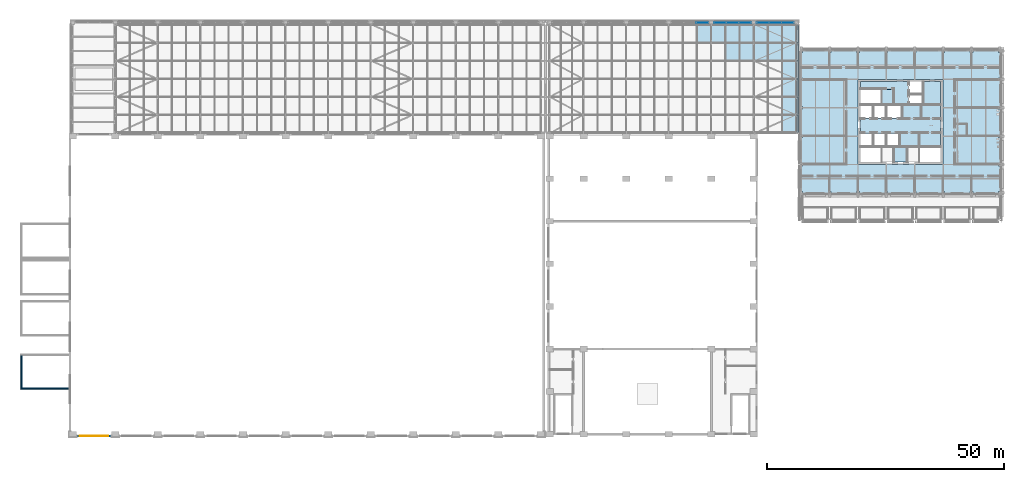
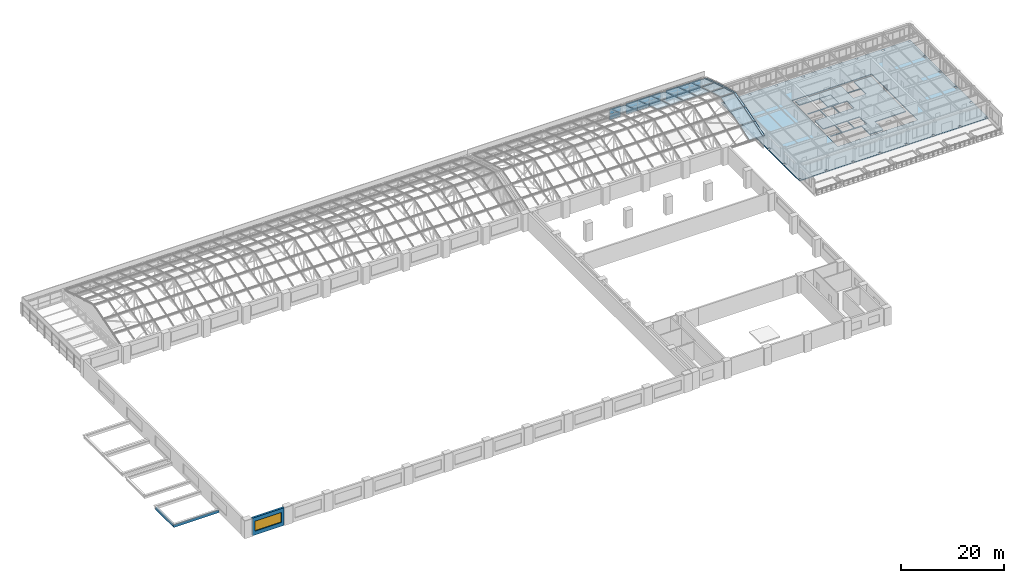
# One storey, part 53 of 82: 36 plates, 3 slabs, 3 walls, 1 window, 1 opening, 4 elements without a shape of their own.
"""IFC4 building model written with IfcOpenShell, lengths in metres."""

from ifc_helpers import new_model, si_unit, direction, frame, frame_2d, origin, origin_2d, place, context, subcontext, project, spatial, polyline, rectangle, outline, extrude, material, layer, layer_set, type_object, element, fill, aggregate, save


model = new_model("IFC4")

# Units and contexts
model_context = context("Model", 3, precision=1e-05, world=origin(), true_north=direction((0.0, 1.0)))
body_context = subcontext(model_context, "Body", "Model", "MODEL_VIEW")
ifc_project = project(units=[si_unit("LENGTHUNIT", "METRE"), si_unit("AREAUNIT", "SQUARE_METRE"), si_unit("VOLUMEUNIT", "CUBIC_METRE"), si_unit("PLANEANGLEUNIT", "RADIAN"), si_unit("MASSUNIT", "GRAM", prefix="KILO")], contexts=[model_context])

# Site, building, storey
site_placement = place(None, origin())
site = spatial("IfcSite", under=ifc_project, at=site_placement, CompositionType="ELEMENT")
building_placement = place(site_placement, origin())
building = spatial("IfcBuilding", under=site, at=building_placement, Name="Aravalli Gate Trade Fair Centre", CompositionType="ELEMENT")
storey_placement = place(building_placement, frame((0.0, 0.0, 19.199951171875)))
storey = spatial("IfcBuildingStorey", under=building, at=storey_placement, Name="L04", CompositionType="ELEMENT", Elevation=19.199951171875)

# Curtain wall, plates
ifc_material_1 = material(Name="Aluminium and glass", Category="aluminium")
curtain_wall_type_1 = type_object("IfcCurtainWallType", Name="Curtain wall 3000 module", PredefinedType="NOTDEFINED", material=ifc_material_1)
curtain_wall_1_placement = place(storey_placement, origin())
curtain_wall_1 = element("IfcCurtainWall", 1, at=curtain_wall_1_placement, inside=storey, type_object=curtain_wall_type_1, Name="Curtain wall north bay 16 L04", PredefinedType="NOTDEFINED")
ifc_material_2 = material(Name="Glass, double glazed", Category="glass")
ifc_layer_1 = layer(ifc_material_2, 0.028076171875)
ifc_layer_set_1 = layer_set([ifc_layer_1], Name="Glass, double glazed")
plate_type_1 = type_object("IfcPlateType", Name="Curtain wall panel, double glazed 28", PredefinedType="CURTAIN_PANEL", material=ifc_layer_set_1)
plate_1_placement = place(storey_placement, frame((139.118408203125, 133.0, 0.06005859375), z_axis=(0.0, 0.0, 1.0), x_axis=(1.0, 0.0, 0.0)))
plate_1 = element("IfcPlate", 2, at=plate_1_placement, type_object=plate_type_1, Name="CW1 panel 3.1", PredefinedType="CURTAIN_PANEL", context=body_context, shape_type="SweptSolid", body=[
    extrude(rectangle(XDim=2.543212890625, YDim=0.028076171875, at=origin_2d()), origin(), (0.0, 0.0, 1.0), 1.260009765625),
])
plate_2_placement = place(storey_placement, frame((139.118408203125, 133.0, 1.3798828125), z_axis=(0.0, 0.0, 1.0), x_axis=(1.0, 0.0, 0.0)))
plate_2 = element("IfcPlate", 3, at=plate_2_placement, type_object=plate_type_1, Name="CW1 panel 3.2", PredefinedType="CURTAIN_PANEL", context=body_context, shape_type="SweptSolid", body=[
    extrude(rectangle(XDim=2.543212890625, YDim=0.028076171875, at=origin_2d()), origin(), (0.0, 0.0, 1.0), 1.260009765625),
])
aggregate(curtain_wall_1, [plate_1, plate_2])

curtain_wall_2_placement = place(storey_placement, origin())
curtain_wall_2 = element("IfcCurtainWall", 4, at=curtain_wall_2_placement, inside=storey, type_object=curtain_wall_type_1, Name="Curtain wall north bay 17 L04", PredefinedType="NOTDEFINED")
plate_3_placement = place(storey_placement, frame((142.881591796875, 133.0, 0.06005859375), z_axis=(0.0, 0.0, 1.0), x_axis=(1.0, 0.0, 0.0)))
plate_3 = element("IfcPlate", 5, at=plate_3_placement, type_object=plate_type_1, Name="CW1 panel 1.1", PredefinedType="CURTAIN_PANEL", context=body_context, shape_type="SweptSolid", body=[
    extrude(rectangle(XDim=2.543212890625, YDim=0.028076171875, at=origin_2d()), origin(), (0.0, 0.0, 1.0), 1.260009765625),
])
plate_4_placement = place(storey_placement, frame((142.881591796875, 133.0, 1.3798828125), z_axis=(0.0, 0.0, 1.0), x_axis=(1.0, 0.0, 0.0)))
plate_4 = element("IfcPlate", 6, at=plate_4_placement, type_object=plate_type_1, Name="CW1 panel 1.2", PredefinedType="CURTAIN_PANEL", context=body_context, shape_type="SweptSolid", body=[
    extrude(rectangle(XDim=2.543212890625, YDim=0.028076171875, at=origin_2d()), origin(), (0.0, 0.0, 1.0), 1.260009765625),
])
plate_5_placement = place(storey_placement, frame((145.5, 133.0, 0.06005859375), z_axis=(0.0, 0.0, 1.0), x_axis=(1.0, 0.0, 0.0)))
plate_5 = element("IfcPlate", 7, at=plate_5_placement, type_object=plate_type_1, Name="CW1 panel 2.1", PredefinedType="CURTAIN_PANEL", context=body_context, shape_type="SweptSolid", body=[
    extrude(rectangle(XDim=2.5732421875, YDim=0.028076171875, at=origin_2d()), origin(), (0.0, 0.0, 1.0), 1.260009765625),
])
plate_6_placement = place(storey_placement, frame((145.5, 133.0, 1.3798828125), z_axis=(0.0, 0.0, 1.0), x_axis=(1.0, 0.0, 0.0)))
plate_6 = element("IfcPlate", 8, at=plate_6_placement, type_object=plate_type_1, Name="CW1 panel 2.2", PredefinedType="CURTAIN_PANEL", context=body_context, shape_type="SweptSolid", body=[
    extrude(rectangle(XDim=2.5732421875, YDim=0.028076171875, at=origin_2d()), origin(), (0.0, 0.0, 1.0), 1.260009765625),
])
plate_7_placement = place(storey_placement, frame((148.118408203125, 133.0, 0.06005859375), z_axis=(0.0, 0.0, 1.0), x_axis=(1.0, 0.0, 0.0)))
plate_7 = element("IfcPlate", 9, at=plate_7_placement, type_object=plate_type_1, Name="CW1 panel 3.1", PredefinedType="CURTAIN_PANEL", context=body_context, shape_type="SweptSolid", body=[
    extrude(rectangle(XDim=2.543212890625, YDim=0.028076171875, at=origin_2d()), origin(), (0.0, 0.0, 1.0), 1.260009765625),
])
plate_8_placement = place(storey_placement, frame((148.118408203125, 133.0, 1.3798828125), z_axis=(0.0, 0.0, 1.0), x_axis=(1.0, 0.0, 0.0)))
plate_8 = element("IfcPlate", 10, at=plate_8_placement, type_object=plate_type_1, Name="CW1 panel 3.2", PredefinedType="CURTAIN_PANEL", context=body_context, shape_type="SweptSolid", body=[
    extrude(rectangle(XDim=2.543212890625, YDim=0.028076171875, at=origin_2d()), origin(), (0.0, 0.0, 1.0), 1.260009765625),
])
aggregate(curtain_wall_2, [plate_3, plate_4, plate_5, plate_6, plate_7, plate_8])

curtain_wall_3_placement = place(storey_placement, origin())
curtain_wall_3 = element("IfcCurtainWall", 11, at=curtain_wall_3_placement, inside=storey, type_object=curtain_wall_type_1, Name="Curtain wall north bay 18 L04", PredefinedType="NOTDEFINED")
plate_9_placement = place(storey_placement, frame((151.881591796875, 133.0, 0.06005859375), z_axis=(0.0, 0.0, 1.0), x_axis=(1.0, 0.0, 0.0)))
plate_9 = element("IfcPlate", 12, at=plate_9_placement, type_object=plate_type_1, Name="CW1 panel 1.1", PredefinedType="CURTAIN_PANEL", context=body_context, shape_type="SweptSolid", body=[
    extrude(rectangle(XDim=2.543212890625, YDim=0.028076171875, at=origin_2d()), origin(), (0.0, 0.0, 1.0), 1.260009765625),
])
plate_10_placement = place(storey_placement, frame((151.881591796875, 133.0, 1.3798828125), z_axis=(0.0, 0.0, 1.0), x_axis=(1.0, 0.0, 0.0)))
plate_10 = element("IfcPlate", 13, at=plate_10_placement, type_object=plate_type_1, Name="CW1 panel 1.2", PredefinedType="CURTAIN_PANEL", context=body_context, shape_type="SweptSolid", body=[
    extrude(rectangle(XDim=2.543212890625, YDim=0.028076171875, at=origin_2d()), origin(), (0.0, 0.0, 1.0), 1.260009765625),
])
plate_11_placement = place(storey_placement, frame((154.5, 133.0, 0.06005859375), z_axis=(0.0, 0.0, 1.0), x_axis=(1.0, 0.0, 0.0)))
plate_11 = element("IfcPlate", 14, at=plate_11_placement, type_object=plate_type_1, Name="CW1 panel 2.1", PredefinedType="CURTAIN_PANEL", context=body_context, shape_type="SweptSolid", body=[
    extrude(rectangle(XDim=2.5732421875, YDim=0.028076171875, at=origin_2d()), origin(), (0.0, 0.0, 1.0), 1.260009765625),
])
plate_12_placement = place(storey_placement, frame((154.5, 133.0, 1.3798828125), z_axis=(0.0, 0.0, 1.0), x_axis=(1.0, 0.0, 0.0)))
plate_12 = element("IfcPlate", 15, at=plate_12_placement, type_object=plate_type_1, Name="CW1 panel 2.2", PredefinedType="CURTAIN_PANEL", context=body_context, shape_type="SweptSolid", body=[
    extrude(rectangle(XDim=2.5732421875, YDim=0.028076171875, at=origin_2d()), origin(), (0.0, 0.0, 1.0), 1.260009765625),
])
plate_13_placement = place(storey_placement, frame((157.118408203125, 133.0, 0.06005859375), z_axis=(0.0, 0.0, 1.0), x_axis=(1.0, 0.0, 0.0)))
plate_13 = element("IfcPlate", 16, at=plate_13_placement, type_object=plate_type_1, Name="CW1 panel 3.1", PredefinedType="CURTAIN_PANEL", context=body_context, shape_type="SweptSolid", body=[
    extrude(rectangle(XDim=2.543212890625, YDim=0.028076171875, at=origin_2d()), origin(), (0.0, 0.0, 1.0), 1.260009765625),
])
plate_14_placement = place(storey_placement, frame((157.118408203125, 133.0, 1.3798828125), z_axis=(0.0, 0.0, 1.0), x_axis=(1.0, 0.0, 0.0)))
plate_14 = element("IfcPlate", 17, at=plate_14_placement, type_object=plate_type_1, Name="CW1 panel 3.2", PredefinedType="CURTAIN_PANEL", context=body_context, shape_type="SweptSolid", body=[
    extrude(rectangle(XDim=2.543212890625, YDim=0.028076171875, at=origin_2d()), origin(), (0.0, 0.0, 1.0), 1.260009765625),
])
aggregate(curtain_wall_3, [plate_9, plate_10, plate_11, plate_12, plate_13, plate_14])

curtain_wall_type_2 = type_object("IfcCurtainWallType", Name="Vault curtain wall, sloped glazing", PredefinedType="NOTDEFINED", material=ifc_material_1)
curtain_wall_4_placement = place(storey_placement, origin())
curtain_wall_4 = element("IfcCurtainWall", 18, at=curtain_wall_4_placement, inside=storey, type_object=curtain_wall_type_2, Name="Vault curtain wall e", PredefinedType="NOTDEFINED")
ifc_material_3 = material(Name="Glass, laminated double glazed", Category="glass")
ifc_layer_2 = layer(ifc_material_3, 0.028076171875)
ifc_layer_set_2 = layer_set([ifc_layer_2], Name="Glass, laminated double glazed")
plate_type_2 = type_object("IfcPlateType", Name="Vault glazing panel, facet class 1", PredefinedType="CURTAIN_PANEL", material=ifc_layer_set_2)
plate_15_placement = place(storey_placement, frame((138.030029296875, 128.77001953125, 4.0771484375), z_axis=(0.0, 0.312518472278, 0.949911682466), x_axis=(1.0, 0.0, 0.0)))
plate_15 = element("IfcPlate", 19, at=plate_15_placement, type_object=plate_type_2, Name="Vault glazing e13.6", PredefinedType="CURTAIN_PANEL", context=body_context, shape_type="SweptSolid", body=[
    extrude(outline(polyline([(0.0, 0.0), (2.93994140625, 0.0), (2.93994140625, 3.852897250273449), (0.0, 3.852897250273449), (0.0, 0.0)])), origin(), (0.0, 0.0, -1.0), 0.028076171875),
])
plate_16_placement = place(storey_placement, frame((141.030029296875, 128.77001953125, 4.0771484375), z_axis=(0.0, 0.312518472278, 0.949911682466), x_axis=(1.0, 0.0, 0.0)))
plate_16 = element("IfcPlate", 20, at=plate_16_placement, type_object=plate_type_2, Name="Vault glazing e14.6", PredefinedType="CURTAIN_PANEL", context=body_context, shape_type="SweptSolid", body=[
    extrude(outline(polyline([(0.0, 0.0), (2.93994140625, 0.0), (2.93994140625, 3.852897250273449), (0.0, 3.852897250273449), (0.0, 0.0)])), origin(), (0.0, 0.0, -1.0), 0.028076171875),
])
plate_17_placement = place(storey_placement, frame((144.030029296875, 128.77001953125, 4.0771484375), z_axis=(0.0, 0.312518472278, 0.949911682466), x_axis=(1.0, 0.0, 0.0)))
plate_17 = element("IfcPlate", 21, at=plate_17_placement, type_object=plate_type_2, Name="Vault glazing e15.6", PredefinedType="CURTAIN_PANEL", context=body_context, shape_type="SweptSolid", body=[
    extrude(outline(polyline([(0.0, 0.0), (2.93994140625, 0.0), (2.93994140625, 3.852897250273449), (0.0, 3.852897250273449), (0.0, 0.0)])), origin(), (0.0, 0.0, -1.0), 0.028076171875),
])
plate_18_placement = place(storey_placement, frame((147.030029296875, 128.77001953125, 4.0771484375), z_axis=(0.0, 0.312518472278, 0.949911682466), x_axis=(1.0, 0.0, 0.0)))
plate_18 = element("IfcPlate", 22, at=plate_18_placement, type_object=plate_type_2, Name="Vault glazing e16.6", PredefinedType="CURTAIN_PANEL", context=body_context, shape_type="SweptSolid", body=[
    extrude(outline(polyline([(0.0, 0.0), (2.93994140625, 0.0), (2.93994140625, 3.852897250273449), (0.0, 3.852897250273449), (0.0, 0.0)])), origin(), (0.0, 0.0, -1.0), 0.028076171875),
])
plate_19_placement = place(storey_placement, frame((150.030029296875, 128.77001953125, 4.0771484375), z_axis=(0.0, 0.312518472278, 0.949911682466), x_axis=(1.0, 0.0, 0.0)))
plate_19 = element("IfcPlate", 23, at=plate_19_placement, type_object=plate_type_2, Name="Vault glazing e17.6", PredefinedType="CURTAIN_PANEL", context=body_context, shape_type="SweptSolid", body=[
    extrude(outline(polyline([(0.0, 0.0), (2.93994140625, 0.0), (2.93994140625, 3.852897250273449), (0.0, 3.852897250273449), (0.0, 0.0)])), origin(), (0.0, 0.0, -1.0), 0.028076171875),
])
plate_20_placement = place(storey_placement, frame((153.030029296875, 128.77001953125, 4.0771484375), z_axis=(0.0, 0.312518472278, 0.949911682466), x_axis=(1.0, 0.0, 0.0)))
plate_20 = element("IfcPlate", 24, at=plate_20_placement, type_object=plate_type_2, Name="Vault glazing e18.6", PredefinedType="CURTAIN_PANEL", context=body_context, shape_type="SweptSolid", body=[
    extrude(outline(polyline([(0.0, 0.0), (2.93994140625, 0.0), (2.93994140625, 3.852897250273449), (0.0, 3.852897250273449), (0.0, 0.0)])), origin(), (0.0, 0.0, -1.0), 0.028076171875),
])
plate_21_placement = place(storey_placement, frame((156.030029296875, 109.77001953125, 2.873046875), z_axis=(0.0, -0.312518472278, 0.949911682466), x_axis=(1.0, 0.0, 0.0)))
plate_21 = element("IfcPlate", 25, at=plate_21_placement, type_object=plate_type_2, Name="Vault glazing e19.1", PredefinedType="CURTAIN_PANEL", context=body_context, shape_type="SweptSolid", body=[
    extrude(outline(polyline([(0.0, 0.0), (2.93994140625, 0.0), (2.93994140625, 3.852897250273449), (0.0, 3.852897250273449), (0.0, 0.0)])), origin(), (0.0, 0.0, -1.0), 0.028076171875),
])
plate_22_placement = place(storey_placement, frame((156.030029296875, 128.77001953125, 4.0771484375), z_axis=(0.0, 0.312518472278, 0.949911682466), x_axis=(1.0, 0.0, 0.0)))
plate_22 = element("IfcPlate", 26, at=plate_22_placement, type_object=plate_type_2, Name="Vault glazing e19.6", PredefinedType="CURTAIN_PANEL", context=body_context, shape_type="SweptSolid", body=[
    extrude(outline(polyline([(0.0, 0.0), (2.93994140625, 0.0), (2.93994140625, 3.852897250273449), (0.0, 3.852897250273449), (0.0, 0.0)])), origin(), (0.0, 0.0, -1.0), 0.028076171875),
])
plate_23_placement = place(storey_placement, frame((159.030029296875, 109.77001953125, 2.873046875), z_axis=(0.0, -0.312518472278, 0.949911682466), x_axis=(1.0, 0.0, 0.0)))
plate_23 = element("IfcPlate", 27, at=plate_23_placement, type_object=plate_type_2, Name="Vault glazing e20.1", PredefinedType="CURTAIN_PANEL", context=body_context, shape_type="SweptSolid", body=[
    extrude(outline(polyline([(0.0, 0.0), (0.409912109375, 0.0), (0.409912109375, 3.852897250273449), (0.0, 3.852897250273449), (0.0, 0.0)])), origin(), (0.0, 0.0, -1.0), 0.028076171875),
])
plate_24_placement = place(storey_placement, frame((159.030029296875, 128.77001953125, 4.0771484375), z_axis=(0.0, 0.312518472278, 0.949911682466), x_axis=(1.0, 0.0, 0.0)))
plate_24 = element("IfcPlate", 28, at=plate_24_placement, type_object=plate_type_2, Name="Vault glazing e20.6", PredefinedType="CURTAIN_PANEL", context=body_context, shape_type="SweptSolid", body=[
    extrude(outline(polyline([(0.0, 0.0), (0.409912109375, 0.0), (0.409912109375, 3.852897250273449), (0.0, 3.852897250273449), (0.0, 0.0)])), origin(), (0.0, 0.0, -1.0), 0.028076171875),
])
ifc_layer_3 = layer(ifc_material_3, 0.028076171875)
ifc_layer_set_3 = layer_set([ifc_layer_3], Name="Glass, laminated double glazed")
plate_type_3 = type_object("IfcPlateType", Name="Vault glazing panel, facet class 2", PredefinedType="CURTAIN_PANEL", material=ifc_layer_set_3)
plate_25_placement = place(storey_placement, frame((144.030029296875, 124.969970703125, 5.228759765625), z_axis=(0.0, 0.289613973345, 0.957143534922), x_axis=(1.0, 0.0, 0.0)))
plate_25 = element("IfcPlate", 29, at=plate_25_placement, type_object=plate_type_3, Name="Vault glazing e15.5", PredefinedType="CURTAIN_PANEL", context=body_context, shape_type="SweptSolid", body=[
    extrude(outline(polyline([(0.0, 0.0), (2.93994140625, 0.0), (2.93994140625, 3.8237860632595906), (0.0, 3.8237860632595906), (0.0, 0.0)])), origin(), (0.0, 0.0, -1.0), 0.028076171875),
])
plate_26_placement = place(storey_placement, frame((147.030029296875, 124.969970703125, 5.228759765625), z_axis=(0.0, 0.289613973345, 0.957143534922), x_axis=(1.0, 0.0, 0.0)))
plate_26 = element("IfcPlate", 30, at=plate_26_placement, type_object=plate_type_3, Name="Vault glazing e16.5", PredefinedType="CURTAIN_PANEL", context=body_context, shape_type="SweptSolid", body=[
    extrude(outline(polyline([(0.0, 0.0), (2.93994140625, 0.0), (2.93994140625, 3.8237860632595906), (0.0, 3.8237860632595906), (0.0, 0.0)])), origin(), (0.0, 0.0, -1.0), 0.028076171875),
])
plate_27_placement = place(storey_placement, frame((150.030029296875, 124.969970703125, 5.228759765625), z_axis=(0.0, 0.289613973345, 0.957143534922), x_axis=(1.0, 0.0, 0.0)))
plate_27 = element("IfcPlate", 31, at=plate_27_placement, type_object=plate_type_3, Name="Vault glazing e17.5", PredefinedType="CURTAIN_PANEL", context=body_context, shape_type="SweptSolid", body=[
    extrude(outline(polyline([(0.0, 0.0), (2.93994140625, 0.0), (2.93994140625, 3.8237860632595906), (0.0, 3.8237860632595906), (0.0, 0.0)])), origin(), (0.0, 0.0, -1.0), 0.028076171875),
])
plate_28_placement = place(storey_placement, frame((153.030029296875, 124.969970703125, 5.228759765625), z_axis=(0.0, 0.289613973345, 0.957143534922), x_axis=(1.0, 0.0, 0.0)))
plate_28 = element("IfcPlate", 32, at=plate_28_placement, type_object=plate_type_3, Name="Vault glazing e18.5", PredefinedType="CURTAIN_PANEL", context=body_context, shape_type="SweptSolid", body=[
    extrude(outline(polyline([(0.0, 0.0), (2.93994140625, 0.0), (2.93994140625, 3.8237860632595906), (0.0, 3.8237860632595906), (0.0, 0.0)])), origin(), (0.0, 0.0, -1.0), 0.028076171875),
])
plate_29_placement = place(storey_placement, frame((156.030029296875, 113.570068359375, 4.121337890625), z_axis=(0.0, -0.289613973345, 0.957143534922), x_axis=(1.0, 0.0, 0.0)))
plate_29 = element("IfcPlate", 33, at=plate_29_placement, type_object=plate_type_3, Name="Vault glazing e19.2", PredefinedType="CURTAIN_PANEL", context=body_context, shape_type="SweptSolid", body=[
    extrude(outline(polyline([(0.0, 0.0), (2.93994140625, 0.0), (2.93994140625, 3.8237860632595906), (0.0, 3.8237860632595906), (0.0, 0.0)])), origin(), (0.0, 0.0, -1.0), 0.028076171875),
])
plate_30_placement = place(storey_placement, frame((156.030029296875, 124.969970703125, 5.228759765625), z_axis=(0.0, 0.289613973345, 0.957143534922), x_axis=(1.0, 0.0, 0.0)))
plate_30 = element("IfcPlate", 34, at=plate_30_placement, type_object=plate_type_3, Name="Vault glazing e19.5", PredefinedType="CURTAIN_PANEL", context=body_context, shape_type="SweptSolid", body=[
    extrude(outline(polyline([(0.0, 0.0), (2.93994140625, 0.0), (2.93994140625, 3.8237860632595906), (0.0, 3.8237860632595906), (0.0, 0.0)])), origin(), (0.0, 0.0, -1.0), 0.028076171875),
])
plate_31_placement = place(storey_placement, frame((159.030029296875, 113.570068359375, 4.121337890625), z_axis=(0.0, -0.289613973345, 0.957143534922), x_axis=(1.0, 0.0, 0.0)))
plate_31 = element("IfcPlate", 35, at=plate_31_placement, type_object=plate_type_3, Name="Vault glazing e20.2", PredefinedType="CURTAIN_PANEL", context=body_context, shape_type="SweptSolid", body=[
    extrude(outline(polyline([(0.0, 0.0), (0.409912109375, 0.0), (0.409912109375, 3.8237860632595906), (0.0, 3.8237860632595906), (0.0, 0.0)])), origin(), (0.0, 0.0, -1.0), 0.028076171875),
])
plate_32_placement = place(storey_placement, frame((159.030029296875, 124.969970703125, 5.228759765625), z_axis=(0.0, 0.289613973345, 0.957143534922), x_axis=(1.0, 0.0, 0.0)))
plate_32 = element("IfcPlate", 36, at=plate_32_placement, type_object=plate_type_3, Name="Vault glazing e20.5", PredefinedType="CURTAIN_PANEL", context=body_context, shape_type="SweptSolid", body=[
    extrude(outline(polyline([(0.0, 0.0), (0.409912109375, 0.0), (0.409912109375, 3.8237860632595906), (0.0, 3.8237860632595906), (0.0, 0.0)])), origin(), (0.0, 0.0, -1.0), 0.028076171875),
])
ifc_layer_4 = layer(ifc_material_3, 0.028076171875)
ifc_layer_set_4 = layer_set([ifc_layer_4], Name="Glass, laminated double glazed")
plate_type_4 = type_object("IfcPlateType", Name="Vault glazing panel, facet class 3", PredefinedType="CURTAIN_PANEL", material=ifc_layer_set_4)
plate_33_placement = place(storey_placement, frame((156.030029296875, 117.3701171875, 5.269287109375), z_axis=(0.0, -0.266380180859, 0.96386804037), x_axis=(1.0, 0.0, 0.0)))
plate_33 = element("IfcPlate", 37, at=plate_33_placement, type_object=plate_type_4, Name="Vault glazing e19.3", PredefinedType="CURTAIN_PANEL", context=body_context, shape_type="SweptSolid", body=[
    extrude(outline(polyline([(0.0, 0.0), (2.93994140625, 0.0), (2.93994140625, 3.7971091021670778), (0.0, 3.7971091021670778), (0.0, 0.0)])), origin(), (0.0, 0.0, -1.0), 0.028076171875),
])
plate_34_placement = place(storey_placement, frame((156.030029296875, 121.169921875, 6.28076171875), z_axis=(0.0, 0.266363673386, 0.963872602318), x_axis=(1.0, 0.0, 0.0)))
plate_34 = element("IfcPlate", 38, at=plate_34_placement, type_object=plate_type_4, Name="Vault glazing e19.4", PredefinedType="CURTAIN_PANEL", context=body_context, shape_type="SweptSolid", body=[
    extrude(outline(polyline([(0.0, 0.0), (2.93994140625, 0.0), (2.93994140625, 3.797344422069767), (0.0, 3.797344422069767), (0.0, 0.0)])), origin(), (0.0, 0.0, -1.0), 0.028076171875),
])
plate_35_placement = place(storey_placement, frame((159.030029296875, 117.3701171875, 5.269287109375), z_axis=(0.0, -0.266380180859, 0.96386804037), x_axis=(1.0, 0.0, 0.0)))
plate_35 = element("IfcPlate", 39, at=plate_35_placement, type_object=plate_type_4, Name="Vault glazing e20.3", PredefinedType="CURTAIN_PANEL", context=body_context, shape_type="SweptSolid", body=[
    extrude(outline(polyline([(0.0, 0.0), (0.409912109375, 0.0), (0.409912109375, 3.7971091021670778), (0.0, 3.7971091021670778), (0.0, 0.0)])), origin(), (0.0, 0.0, -1.0), 0.028076171875),
])
plate_36_placement = place(storey_placement, frame((159.030029296875, 121.169921875, 6.28076171875), z_axis=(0.0, 0.266363673386, 0.963872602318), x_axis=(1.0, 0.0, 0.0)))
plate_36 = element("IfcPlate", 40, at=plate_36_placement, type_object=plate_type_4, Name="Vault glazing e20.4", PredefinedType="CURTAIN_PANEL", context=body_context, shape_type="SweptSolid", body=[
    extrude(outline(polyline([(0.0, 0.0), (0.409912109375, 0.0), (0.409912109375, 3.7973444220697665), (0.0, 3.7973444220697665), (0.0, 0.0)])), origin(), (0.0, 0.0, -1.0), 0.028076171875),
])
aggregate(curtain_wall_4, [plate_15, plate_16, plate_25, plate_17, plate_26, plate_18, plate_27, plate_19, plate_28, plate_20, plate_21, plate_29, plate_33, plate_34, plate_30, plate_22, plate_23, plate_31, plate_35, plate_36, plate_32, plate_24])

# Slabs
ifc_material_4 = material(Name="Concrete M50", Category="concrete")
ifc_layer_5 = layer(ifc_material_4, 0.199951171875)
ifc_layer_set_5 = layer_set([ifc_layer_5], Name="Concrete M50")
slab_type_1 = type_object("IfcSlabType", Name="Wing core floor slab 200", PredefinedType="FLOOR", material=ifc_layer_set_5)
slab_1_placement = place(storey_placement, frame((0.0, 0.0, -0.199951171875)))
element("IfcSlab", 41, at=slab_1_placement, inside=storey, type_object=slab_type_1, Name="Core floor slab L04", PredefinedType="FLOOR", context=body_context, shape_type="SweptSolid", body=[
    extrude(outline(polyline([(189.5, 120.5), (189.5, 106.699951171875), (182.5, 106.699951171875), (182.5, 103.5), (179.5, 103.5), (179.5, 106.699951171875), (172.5, 106.699951171875), (172.5, 106.89990234375), (175.10009765625, 106.89990234375), (175.10009765625, 109.60009765625), (172.5, 109.60009765625), (172.5, 112.800048828125), (175.10009765625, 112.800048828125), (175.10009765625, 115.5), (172.5, 115.5), (172.5, 115.699951171875), (179.5, 115.699951171875), (179.5, 118.89990234375), (172.5, 118.89990234375), (172.5, 120.5), (182.800048828125, 120.5), (182.800048828125, 118.0), (185.699951171875, 118.0), (185.699951171875, 120.5), (189.5, 120.5)]), holes=[polyline([(175.300048828125, 109.60009765625), (175.300048828125, 106.89990234375), (177.89990234375, 106.89990234375), (177.89990234375, 109.60009765625), (175.300048828125, 109.60009765625)]), polyline([(177.89990234375, 115.5), (175.300048828125, 115.5), (175.300048828125, 112.800048828125), (177.89990234375, 112.800048828125), (177.89990234375, 115.5)]), polyline([(180.699951171875, 109.60009765625), (178.10009765625, 109.60009765625), (178.10009765625, 106.89990234375), (180.699951171875, 106.89990234375), (180.699951171875, 109.60009765625)]), polyline([(178.10009765625, 115.5), (178.10009765625, 112.800048828125), (181.300048828125, 112.800048828125), (181.300048828125, 115.5), (178.10009765625, 115.5)]), polyline([(185.699951171875, 117.800048828125), (182.800048828125, 117.800048828125), (182.800048828125, 115.699951171875), (185.699951171875, 115.699951171875), (185.699951171875, 117.800048828125)])]), origin(), (0.0, 0.0, 1.0), 0.199951171875),
])
slab_2_placement = place(storey_placement, frame((0.0, 0.0, -0.199951171875)))
element("IfcSlab", 42, at=slab_2_placement, inside=storey, type_object=slab_type_1, Name="Stair landing slab FFS L04", PredefinedType="FLOOR", context=body_context, shape_type="SweptSolid", body=[
    extrude(outline(polyline([(179.5, 115.699951171875), (179.5, 118.89990234375), (177.050048828125, 118.89990234375), (177.050048828125, 115.699951171875), (179.5, 115.699951171875)])), origin(), (0.0, 0.0, 1.0), 0.199951171875),
])
ifc_layer_6 = layer(ifc_material_4, 0.199951171875)
ifc_layer_set_6 = layer_set([ifc_layer_6], Name="Concrete M50")
slab_type_2 = type_object("IfcSlabType", Name="Wing floor slab 200", PredefinedType="FLOOR", material=ifc_layer_set_6)
slab_3_placement = place(storey_placement, frame((0.0, 0.0, -0.199951171875)))
element("IfcSlab", 43, at=slab_3_placement, inside=storey, type_object=slab_type_2, Name="Wing floor slab L04", PredefinedType="FLOOR", context=body_context, shape_type="SweptSolid", body=[
    extrude(outline(polyline([(159.695068359375, 127.304931640625), (202.304931640625, 127.304931640625), (202.304931640625, 96.695068359375), (159.695068359375, 96.695068359375), (159.695068359375, 127.304931640625)]), holes=[polyline([(160.27490234375, 97.27490234375), (159.72509765625, 97.27490234375), (159.72509765625, 96.72509765625), (160.27490234375, 96.72509765625), (160.27490234375, 97.27490234375)]), polyline([(166.27490234375, 97.27490234375), (165.72509765625, 97.27490234375), (165.72509765625, 96.72509765625), (166.27490234375, 96.72509765625), (166.27490234375, 97.27490234375)]), polyline([(172.27490234375, 97.27490234375), (171.72509765625, 97.27490234375), (171.72509765625, 96.72509765625), (172.27490234375, 96.72509765625), (172.27490234375, 97.27490234375)]), polyline([(178.27490234375, 97.27490234375), (177.72509765625, 97.27490234375), (177.72509765625, 96.72509765625), (178.27490234375, 96.72509765625), (178.27490234375, 97.27490234375)]), polyline([(160.27490234375, 103.27490234375), (159.72509765625, 103.27490234375), (159.72509765625, 102.72509765625), (160.27490234375, 102.72509765625), (160.27490234375, 103.27490234375)]), polyline([(160.27490234375, 109.27490234375), (159.72509765625, 109.27490234375), (159.72509765625, 108.72509765625), (160.27490234375, 108.72509765625), (160.27490234375, 109.27490234375)]), polyline([(160.27490234375, 115.27490234375), (159.72509765625, 115.27490234375), (159.72509765625, 114.72509765625), (160.27490234375, 114.72509765625), (160.27490234375, 115.27490234375)]), polyline([(160.27490234375, 121.27490234375), (159.72509765625, 121.27490234375), (159.72509765625, 120.72509765625), (160.27490234375, 120.72509765625), (160.27490234375, 121.27490234375)]), polyline([(160.27490234375, 127.27490234375), (159.72509765625, 127.27490234375), (159.72509765625, 126.72509765625), (160.27490234375, 126.72509765625), (160.27490234375, 127.27490234375)]), polyline([(166.27490234375, 127.27490234375), (165.72509765625, 127.27490234375), (165.72509765625, 126.72509765625), (166.27490234375, 126.72509765625), (166.27490234375, 127.27490234375)]), polyline([(172.27490234375, 127.27490234375), (171.72509765625, 127.27490234375), (171.72509765625, 126.72509765625), (172.27490234375, 126.72509765625), (172.27490234375, 127.27490234375)]), polyline([(178.27490234375, 127.27490234375), (177.72509765625, 127.27490234375), (177.72509765625, 126.72509765625), (178.27490234375, 126.72509765625), (178.27490234375, 127.27490234375)]), polyline([(184.27490234375, 97.27490234375), (183.72509765625, 97.27490234375), (183.72509765625, 96.72509765625), (184.27490234375, 96.72509765625), (184.27490234375, 97.27490234375)]), polyline([(190.27490234375, 97.27490234375), (189.72509765625, 97.27490234375), (189.72509765625, 96.72509765625), (190.27490234375, 96.72509765625), (190.27490234375, 97.27490234375)]), polyline([(196.27490234375, 97.27490234375), (195.72509765625, 97.27490234375), (195.72509765625, 96.72509765625), (196.27490234375, 96.72509765625), (196.27490234375, 97.27490234375)]), polyline([(202.27490234375, 97.27490234375), (201.72509765625, 97.27490234375), (201.72509765625, 96.72509765625), (202.27490234375, 96.72509765625), (202.27490234375, 97.27490234375)]), polyline([(202.27490234375, 103.27490234375), (201.72509765625, 103.27490234375), (201.72509765625, 102.72509765625), (202.27490234375, 102.72509765625), (202.27490234375, 103.27490234375)]), polyline([(202.27490234375, 109.27490234375), (201.72509765625, 109.27490234375), (201.72509765625, 108.72509765625), (202.27490234375, 108.72509765625), (202.27490234375, 109.27490234375)]), polyline([(202.27490234375, 115.27490234375), (201.72509765625, 115.27490234375), (201.72509765625, 114.72509765625), (202.27490234375, 114.72509765625), (202.27490234375, 115.27490234375)]), polyline([(202.27490234375, 121.27490234375), (201.72509765625, 121.27490234375), (201.72509765625, 120.72509765625), (202.27490234375, 120.72509765625), (202.27490234375, 121.27490234375)]), polyline([(184.27490234375, 127.27490234375), (183.72509765625, 127.27490234375), (183.72509765625, 126.72509765625), (184.27490234375, 126.72509765625), (184.27490234375, 127.27490234375)]), polyline([(190.27490234375, 127.27490234375), (189.72509765625, 127.27490234375), (189.72509765625, 126.72509765625), (190.27490234375, 126.72509765625), (190.27490234375, 127.27490234375)]), polyline([(196.27490234375, 127.27490234375), (195.72509765625, 127.27490234375), (195.72509765625, 126.72509765625), (196.27490234375, 126.72509765625), (196.27490234375, 127.27490234375)]), polyline([(202.27490234375, 127.27490234375), (201.72509765625, 127.27490234375), (201.72509765625, 126.72509765625), (202.27490234375, 126.72509765625), (202.27490234375, 127.27490234375)]), polyline([(190.0, 121.0), (172.0, 121.0), (172.0, 103.0), (190.0, 103.0), (190.0, 121.0)])]), origin(), (0.0, 0.0, 1.0), 0.199951171875),
])

# Walls
ifc_material_5 = material(Name="Terracotta", Category="masonry")
ifc_layer_7 = layer(ifc_material_5, 0.300048828125)
ifc_layer_set_7 = layer_set([ifc_layer_7], Name="Terracotta")
wall_type_1 = type_object("IfcWallType", Name="End tower parapet 300", PredefinedType="PARAPET", material=ifc_layer_set_7)
wall_1_placement = place(storey_placement, frame((5.199951171875, 55.64990234375, 0.0), z_axis=(0.0, 0.0, 1.0), x_axis=(-1.0, 0.0, 0.0)))
element("IfcWall", 44, at=wall_1_placement, inside=storey, type_object=wall_type_1, Name="End tower W1 parapet a", PredefinedType="PARAPET", context=body_context, shape_type="SweptSolid", body=[
    extrude(rectangle(XDim=10.199951171875, YDim=0.300048828125, at=frame_2d((5.10009765625, 0.0))), origin(), (0.0, 0.0, 1.0), 0.60009765625),
])
wall_2_placement = place(storey_placement, frame((-4.85009765625, 55.800048828125, 0.0), z_axis=(0.0, 0.0, 1.0), x_axis=(0.0, 1.0, 0.0)))
element("IfcWall", 45, at=wall_2_placement, inside=storey, type_object=wall_type_1, Name="End tower W1 parapet f", PredefinedType="PARAPET", context=body_context, shape_type="SweptSolid", body=[
    extrude(rectangle(XDim=6.800048828125, YDim=0.300048828125, at=frame_2d((3.39990234375, 0.0))), origin(), (0.0, 0.0, 1.0), 0.60009765625),
])

# Wall, opening, window
ifc_material_6 = material(Name="Concrete M40", Category="concrete")
ifc_layer_8 = layer(ifc_material_6, 0.25, Name="Structural wall")
ifc_material_7 = material(Name="Ventilated air cavity")
ifc_layer_9 = layer(ifc_material_7, 0.10009765625, ventilated=True, Name="Ventilated cavity")
ifc_material_8 = material(Name="Terracotta rainscreen", Category="masonry")
ifc_layer_10 = layer(ifc_material_8, 0.10009765625, Name="Rainscreen cladding")
ifc_layer_set_8 = layer_set([ifc_layer_8, ifc_layer_9, ifc_layer_10], Name="Hall external wall 450")
wall_type_2 = type_object("IfcWallType", Name="Hall external wall 450", PredefinedType="SOLIDWALL", material=ifc_layer_set_8)
wall_3_placement = place(storey_placement, frame((6.949951171875, 45.625, 0.0), z_axis=(0.0, 0.0, 1.0), x_axis=(1.0, 0.0, 0.0)))
wall_3 = element("IfcWall", 46, at=wall_3_placement, inside=storey, type_object=wall_type_2, Name="Hall south wall bay 1 L04", PredefinedType="SOLIDWALL", context=body_context, shape_type="SweptSolid", body=[
    extrude(rectangle(XDim=7.10009765625, YDim=0.449951171875, at=frame_2d((3.550048828125, 0.0))), origin(), (0.0, 0.0, 1.0), 4.199951171875),
])
opening_placement = place(wall_3_placement, frame((0.550048828125, 0.0, 0.89990234375)))
opening = element("IfcOpeningElement", 47, at=opening_placement, cuts=wall_3, Name="Opening HG1", PredefinedType="OPENING", context=body_context, shape_type="SweptSolid", body=[
    extrude(rectangle(XDim=6.0, YDim=2.39990234375, at=frame_2d((3.0, 1.199951171875))), frame((0.0, 0.23486328125, 0.0), z_axis=(0.0, -1.0, 0.0), x_axis=(1.0, 0.0, 0.0)), (0.0, 0.0, 1.0), 0.469970703125),
])
ifc_material_9 = material(Name="Glass in steel lattice frame", Category="steel")
window_type = type_object("IfcWindowType", Name="Hall clerestory glazing 6000x2400", PartitioningType="TRIPLE_PANEL_VERTICAL", PredefinedType="WINDOW", material=ifc_material_9)
window_placement = place(opening_placement, origin())
window = element("IfcWindow", 48, at=window_placement, inside=storey, type_object=window_type, Name="Hall south clerestory window bay 1 L04", OverallHeight=2.39990234375, OverallWidth=6.0, PartitioningType="TRIPLE_PANEL_VERTICAL", PredefinedType="WINDOW", context=body_context, shape_type="SweptSolid", body=[
    extrude(rectangle(XDim=6.0, YDim=2.39990234375, at=frame_2d((3.0, 1.199951171875))), frame((0.0, 0.030029296875, 0.0), z_axis=(0.0, -1.0, 0.0), x_axis=(1.0, 0.0, 0.0)), (0.0, 0.0, 1.0), 0.06005859375),
])
fill(opening, window)

save(model, "model.ifc")
